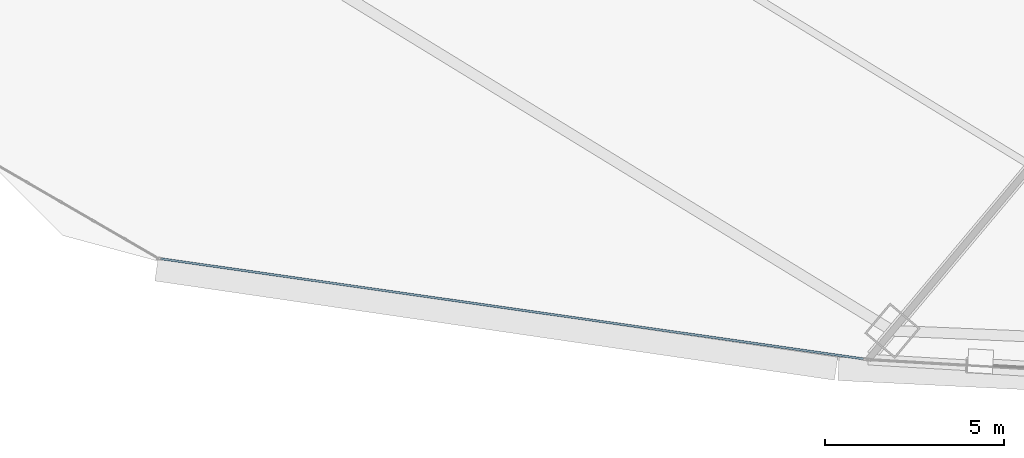
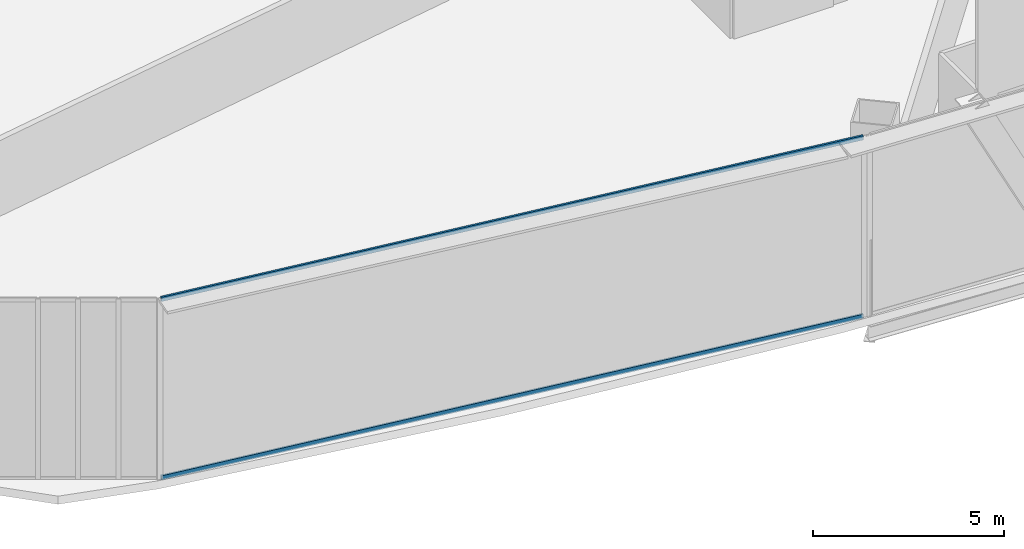
# One storey, part 3 of 41: 2 members, 1 element without a shape of its own.
"""IFC4 building model written with IfcOpenShell, lengths in metres."""

from ifc_helpers import new_model, si_unit, direction, frame, origin, origin_2d, place, context, subcontext, project, spatial, hollow_rectangle, extrude, source, transform, mapped, material, layer, layer_set, material_profile, profile_set, type_object, element, aggregate, save


model = new_model("IFC4")

# Units and contexts
model_context = context("Model", 3, precision=1e-05, world=origin(), true_north=direction((0.0, 1.0)))
body_context = subcontext(model_context, "Body", "Model", "MODEL_VIEW")
ifc_project = project(units=[si_unit("LENGTHUNIT", "METRE"), si_unit("AREAUNIT", "SQUARE_METRE"), si_unit("VOLUMEUNIT", "CUBIC_METRE"), si_unit("PLANEANGLEUNIT", "RADIAN"), si_unit("MASSUNIT", "GRAM", prefix="KILO"), si_unit("THERMODYNAMICTEMPERATUREUNIT", "KELVIN"), si_unit("POWERUNIT", "WATT")], contexts=[model_context])

# Site, building, storey
site_placement = place(None, origin())
site = spatial("IfcSite", under=ifc_project, at=site_placement, CompositionType="ELEMENT")
building_placement = place(site_placement, origin())
building = spatial("IfcBuilding", under=site, at=building_placement, Name="Yunzhuo Pagoda Commons", CompositionType="ELEMENT")
storey_placement = place(building_placement, frame((0.0, 0.0, 70.330078125)))
storey = spatial("IfcBuildingStorey", under=building, at=storey_placement, Name="L18", CompositionType="ELEMENT", Elevation=70.330078125)

# Curtain wall, members
ifc_material = material(Name="Anodized aluminium 6063-T6", Category="aluminium")
ifc_layer = layer(ifc_material, 0.1650390625)
ifc_layer_set = layer_set([ifc_layer], Name="Anodized aluminium 6063-T6")
curtain_wall_type = type_object("IfcCurtainWallType", Name="CW-LOW Low-Zone Ribbon Curtain Wall", PredefinedType="NOTDEFINED", material=ifc_layer_set)
curtain_wall_placement = place(storey_placement, origin())
curtain_wall = element("IfcCurtainWall", 1, at=curtain_wall_placement, inside=storey, type_object=curtain_wall_type, Name="L18 curtain wall CW-L18-F1B1", PredefinedType="NOTDEFINED")
ifc_material_profile = material_profile(ifc_material, hollow_rectangle(XDim=0.06005859375, YDim=0.139892578125, WallThickness=0.00341796875, at=origin_2d()), Name="Anodized aluminium 6063-T6")
ifc_profile_set = profile_set([ifc_material_profile], Name="Anodized aluminium 6063-T6")
member_type = type_object("IfcMemberType", Name="CW-LOW-T Transom RHS 140x60x3.5", PredefinedType="USERDEFINED", material=ifc_profile_set)
shared_shape = source(origin(), body_context, "Body", "SweptSolid", [
    extrude(hollow_rectangle(XDim=0.06005859375, YDim=0.139892578125, WallThickness=0.00341796875, at=origin_2d()), origin(), (0.0, 0.0, 1.0), 19.814697265625),
])
member_1_placement = place(storey_placement, frame((10.070068359375, 14.8564453125, 0.030029296875), z_axis=(0.989991588028, -0.141126381775, 0.0), x_axis=(0.141126381775, 0.989991588028, 0.0)))
member_1 = element("IfcMember", 2, at=member_1_placement, type_object=member_type, Name="CW transom 1.1", ObjectType="TRANSOM", PredefinedType="USERDEFINED", context=body_context, shape_type="MappedRepresentation", body=[
    mapped(shared_shape, transform((0.0, 0.0, 0.0), scale=1.0)),
])
member_2_placement = place(storey_placement, frame((10.070068359375, 14.8564453125, 5.739990234375), z_axis=(0.989991588028, -0.141126381775, 0.0), x_axis=(0.141126381775, 0.989991588028, 0.0)))
member_2 = element("IfcMember", 3, at=member_2_placement, type_object=member_type, Name="CW transom 1.2", ObjectType="TRANSOM", PredefinedType="USERDEFINED", context=body_context, shape_type="MappedRepresentation", body=[
    mapped(shared_shape, transform((0.0, 0.0, 0.0), scale=1.0)),
])
aggregate(curtain_wall, [member_1, member_2])

save(model, "model.ifc")
